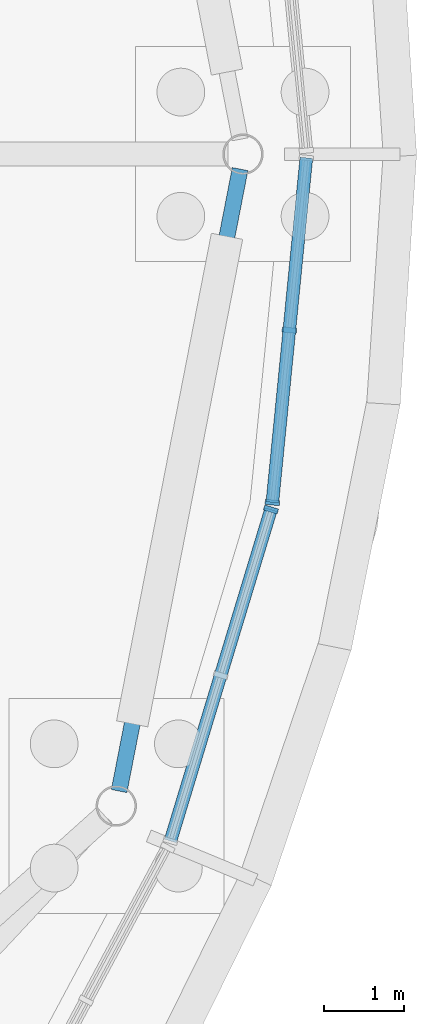
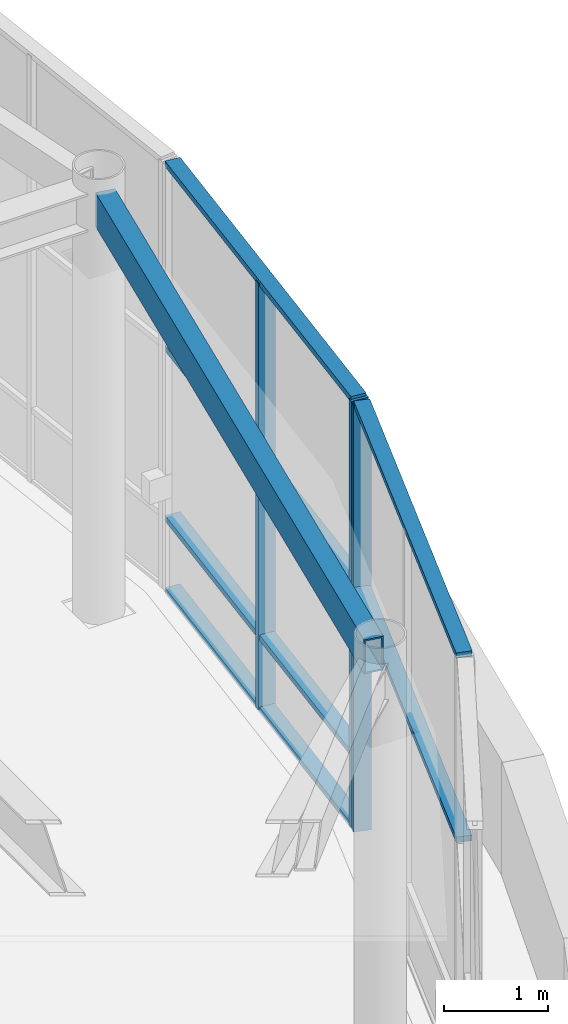
# One storey, part 45 of 85: 9 members, 1 beam, 2 elements without a shape of their own.
"""IFC4 building model written with IfcOpenShell, lengths in metres."""

from ifc_helpers import new_model, si_unit, direction, frame, origin, origin_2d, place, context, subcontext, project, spatial, rectangle, hollow_rectangle, extrude, material, layer, layer_set, material_profile, profile_set, type_object, element, aggregate, save


model = new_model("IFC4")

# Units and contexts
model_context = context("Model", 3, precision=1e-05, world=origin(), true_north=direction((0.0, 1.0)))
body_context = subcontext(model_context, "Body", "Model", "MODEL_VIEW")
ifc_project = project(units=[si_unit("LENGTHUNIT", "METRE"), si_unit("AREAUNIT", "SQUARE_METRE"), si_unit("VOLUMEUNIT", "CUBIC_METRE"), si_unit("PLANEANGLEUNIT", "RADIAN"), si_unit("MASSUNIT", "GRAM", prefix="KILO")], contexts=[model_context])

# Site, building, storey
site_placement = place(None, origin())
site = spatial("IfcSite", under=ifc_project, at=site_placement, CompositionType="ELEMENT")
building_placement = place(site_placement, origin())
building = spatial("IfcBuilding", under=site, at=building_placement, Name="Keelwater Ferry Terminal", CompositionType="ELEMENT")
storey_placement = place(building_placement, origin())
storey = spatial("IfcBuildingStorey", under=building, at=storey_placement, Name="L00", CompositionType="ELEMENT", Elevation=0.0)

# Curtain wall, member
ifc_material_1 = material(Name="Thermally broken unitised aluminium and triple glass", Category="aluminium")
ifc_layer = layer(ifc_material_1, 0.179931640625)
ifc_layer_set = layer_set([ifc_layer], Name="Thermally broken unitised aluminium and triple glass")
curtain_wall_type = type_object("IfcCurtainWallType", Name="CW-17 Unitised Curtain Wall 4350x5020", PredefinedType="USERDEFINED", material=ifc_layer_set)
curtain_wall_1_placement = place(storey_placement, origin())
curtain_wall_1 = element("IfcCurtainWall", 1, at=curtain_wall_1_placement, inside=storey, type_object=curtain_wall_type, Name="Unitised Curtain Wall CW-L00-099", ObjectType="UNITISED CURTAIN WALL", PredefinedType="USERDEFINED")
ifc_material_2 = material(Name="Aluminium mullion", Category="aluminium")
ifc_material_profile_1 = material_profile(ifc_material_2, rectangle(XDim=0.06494140625, YDim=0.179931640625, at=origin_2d()), Name="CWM-01")
ifc_profile_set_1 = profile_set([ifc_material_profile_1], Name="Aluminium mullion")
member_type_1 = type_object("IfcMemberType", Name="CWM-01 Curtain Mullion 65x180", PredefinedType="MULLION", material=ifc_profile_set_1)
member_1_placement = place(storey_placement, frame((186.201904296875, 61.5380859375, 0.0), z_axis=(0.0, 0.0, 1.0), x_axis=(0.290319989003, 0.956929623319, 0.0)))
member_1 = element("IfcMember", 2, at=member_1_placement, type_object=member_type_1, Name="CW-L00-099 Mullion 3", PredefinedType="MULLION", context=body_context, shape_type="SweptSolid", body=[
    extrude(rectangle(XDim=0.06494140625, YDim=0.179931640625, at=origin_2d()), origin(), (0.0, 0.0, 1.0), 5.02001953125),
])

# Curtain wall, members
curtain_wall_2_placement = place(storey_placement, origin())
curtain_wall_2 = element("IfcCurtainWall", 3, at=curtain_wall_2_placement, inside=storey, type_object=curtain_wall_type, Name="Unitised Curtain Wall CW-L00-100", ObjectType="UNITISED CURTAIN WALL", PredefinedType="USERDEFINED")
member_2_placement = place(storey_placement, frame((186.218994140625, 61.6259765625, 0.0), z_axis=(0.0, 0.0, 1.0), x_axis=(0.098160737969, 0.995170573079, 0.0)))
member_2 = element("IfcMember", 4, at=member_2_placement, type_object=member_type_1, Name="CW-L00-100 Mullion 1", PredefinedType="MULLION", context=body_context, shape_type="SweptSolid", body=[
    extrude(rectangle(XDim=0.06494140625, YDim=0.179931640625, at=origin_2d()), origin(), (0.0, 0.0, 1.0), 5.02001953125),
])
member_3_placement = place(storey_placement, frame((186.4326171875, 63.79052734375, 0.0), z_axis=(0.0, 0.0, 1.0), x_axis=(0.098160737969, 0.995170573079, 0.0)))
member_3 = element("IfcMember", 5, at=member_3_placement, type_object=member_type_1, Name="CW-L00-100 Mullion 2", PredefinedType="MULLION", context=body_context, shape_type="SweptSolid", body=[
    extrude(rectangle(XDim=0.06494140625, YDim=0.179931640625, at=origin_2d()), origin(), (0.0, 0.0, 1.0), 5.02001953125),
])

# Member
ifc_material_3 = material(Name="Aluminium mullion", Category="aluminium")
ifc_material_profile_2 = material_profile(ifc_material_3, rectangle(XDim=0.159912109375, YDim=0.06494140625, at=origin_2d()), Name="CWT-01")
ifc_profile_set_2 = profile_set([ifc_material_profile_2], Name="Aluminium mullion")
member_type_2 = type_object("IfcMemberType", Name="CWT-01 Curtain Transom 65x160", PredefinedType="USERDEFINED", material=ifc_profile_set_2)
member_4_placement = place(storey_placement, frame((184.93896484375, 57.375, 2.85009765625), z_axis=(0.290301756665, 0.956935154583, 0.0), x_axis=(-0.956935154583, 0.290301756665, 0.0)))
member_4 = element("IfcMember", 6, at=member_4_placement, type_object=member_type_2, Name="CW-L00-099 Transom 3", ObjectType="TRANSOM", PredefinedType="USERDEFINED", context=body_context, shape_type="SweptSolid", body=[
    extrude(rectangle(XDim=0.159912109375, YDim=0.06494140625, at=origin_2d()), origin(), (0.0, 0.0, 1.0), 4.350341796875),
])

member_5_placement = place(storey_placement, frame((184.93896484375, 57.375, 5.02001953125), z_axis=(0.290301756665, 0.956935154583, 0.0), x_axis=(-0.956935154583, 0.290301756665, 0.0)))
member_5 = element("IfcMember", 7, at=member_5_placement, type_object=member_type_2, Name="CW-L00-099 Transom 4", ObjectType="TRANSOM", PredefinedType="USERDEFINED", context=body_context, shape_type="SweptSolid", body=[
    extrude(rectangle(XDim=0.159912109375, YDim=0.06494140625, at=origin_2d()), origin(), (0.0, 0.0, 1.0), 4.350341796875),
])

aggregate(curtain_wall_1, [member_1, member_4, member_5])

member_6_placement = place(storey_placement, frame((186.218994140625, 61.6259765625, 0.0), z_axis=(0.098158901932, 0.995170754178, 0.0), x_axis=(-0.995170754178, 0.098158901932, 0.0)))
member_6 = element("IfcMember", 8, at=member_6_placement, type_object=member_type_2, Name="CW-L00-100 Transom 1", ObjectType="TRANSOM", PredefinedType="USERDEFINED", context=body_context, shape_type="SweptSolid", body=[
    extrude(rectangle(XDim=0.159912109375, YDim=0.06494140625, at=origin_2d()), origin(), (0.0, 0.0, 1.0), 4.35009765625),
])

member_7_placement = place(storey_placement, frame((186.218994140625, 61.6259765625, 0.85009765625), z_axis=(0.098158901932, 0.995170754178, 0.0), x_axis=(-0.995170754178, 0.098158901932, 0.0)))
member_7 = element("IfcMember", 9, at=member_7_placement, type_object=member_type_2, Name="CW-L00-100 Transom 2", ObjectType="TRANSOM", PredefinedType="USERDEFINED", context=body_context, shape_type="SweptSolid", body=[
    extrude(rectangle(XDim=0.159912109375, YDim=0.06494140625, at=origin_2d()), origin(), (0.0, 0.0, 1.0), 4.35009765625),
])

member_8_placement = place(storey_placement, frame((186.218994140625, 61.6259765625, 2.85009765625), z_axis=(0.098158901932, 0.995170754178, 0.0), x_axis=(-0.995170754178, 0.098158901932, 0.0)))
member_8 = element("IfcMember", 10, at=member_8_placement, type_object=member_type_2, Name="CW-L00-100 Transom 3", ObjectType="TRANSOM", PredefinedType="USERDEFINED", context=body_context, shape_type="SweptSolid", body=[
    extrude(rectangle(XDim=0.159912109375, YDim=0.06494140625, at=origin_2d()), origin(), (0.0, 0.0, 1.0), 4.35009765625),
])

member_9_placement = place(storey_placement, frame((186.218994140625, 61.6259765625, 5.02001953125), z_axis=(0.098158901932, 0.995170754178, 0.0), x_axis=(-0.995170754178, 0.098158901932, 0.0)))
member_9 = element("IfcMember", 11, at=member_9_placement, type_object=member_type_2, Name="CW-L00-100 Transom 4", ObjectType="TRANSOM", PredefinedType="USERDEFINED", context=body_context, shape_type="SweptSolid", body=[
    extrude(rectangle(XDim=0.159912109375, YDim=0.06494140625, at=origin_2d()), origin(), (0.0, 0.0, 1.0), 4.35009765625),
])

aggregate(curtain_wall_2, [member_2, member_3, member_6, member_7, member_8, member_9])

# Beam
ifc_material_4 = material(Name="Steel S355", Category="steel")
ifc_material_profile_3 = material_profile(ifc_material_4, hollow_rectangle(XDim=0.199951171875, YDim=0.39990234375, WallThickness=0.01611328125, at=origin_2d()), Name="RHS 400x200x16")
ifc_profile_set_3 = profile_set([ifc_material_profile_3], Name="Steel S355")
beam_type = type_object("IfcBeamType", Name="SP3E RHS 400x200x16", PredefinedType="SPANDREL", material=ifc_profile_set_3)
beam_placement = place(storey_placement, frame((185.81396484375, 65.81298828125, 4.860107421875), z_axis=(-0.190897579934, -0.981609960206, 0.0), x_axis=(0.981609960206, -0.190897579934, 0.0)))
element("IfcBeam", 12, at=beam_placement, inside=storey, type_object=beam_type, Name="Beam BM-L00-0598", PredefinedType="SPANDREL", context=body_context, shape_type="SweptSolid", body=[
    extrude(hollow_rectangle(XDim=0.199951171875, YDim=0.39990234375, WallThickness=0.01611328125, at=origin_2d()), origin(), (0.0, 0.0, 1.0), 7.957275390625),
])

save(model, "model.ifc")
